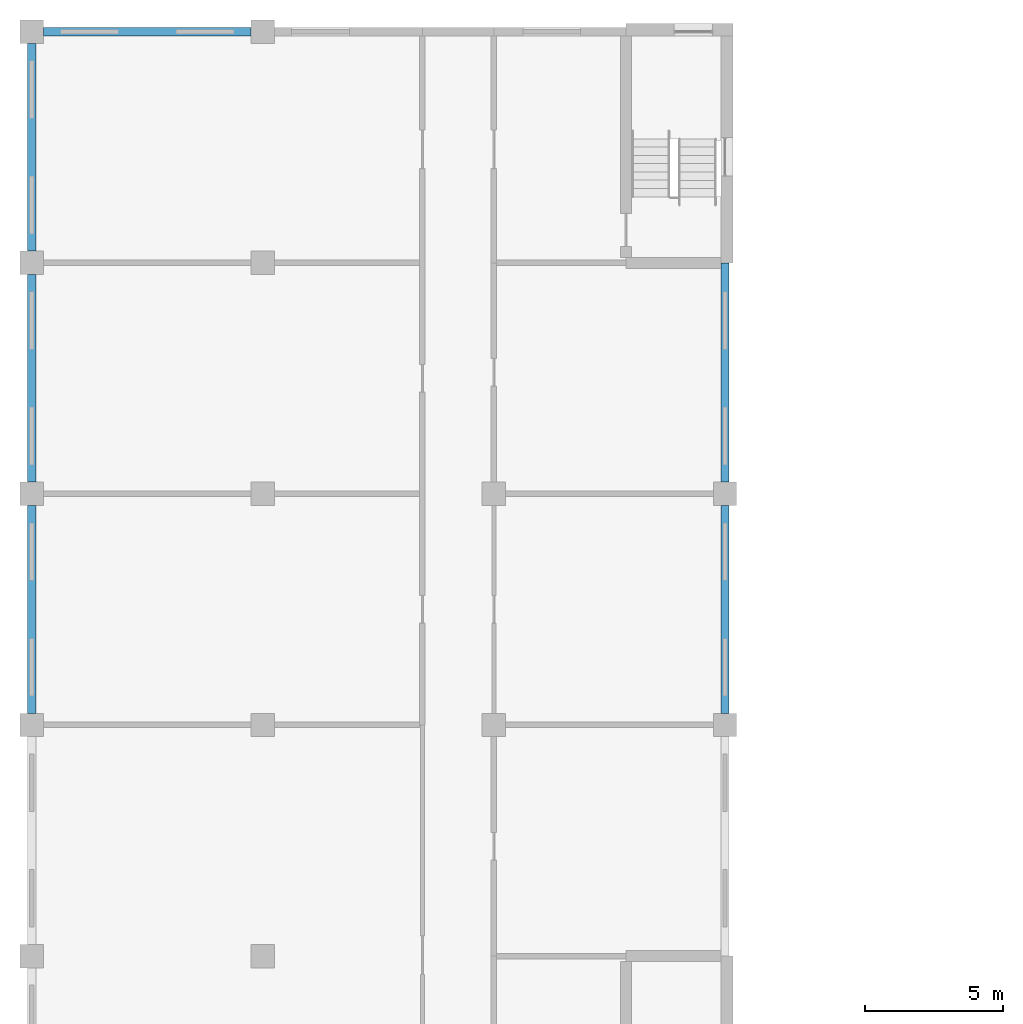
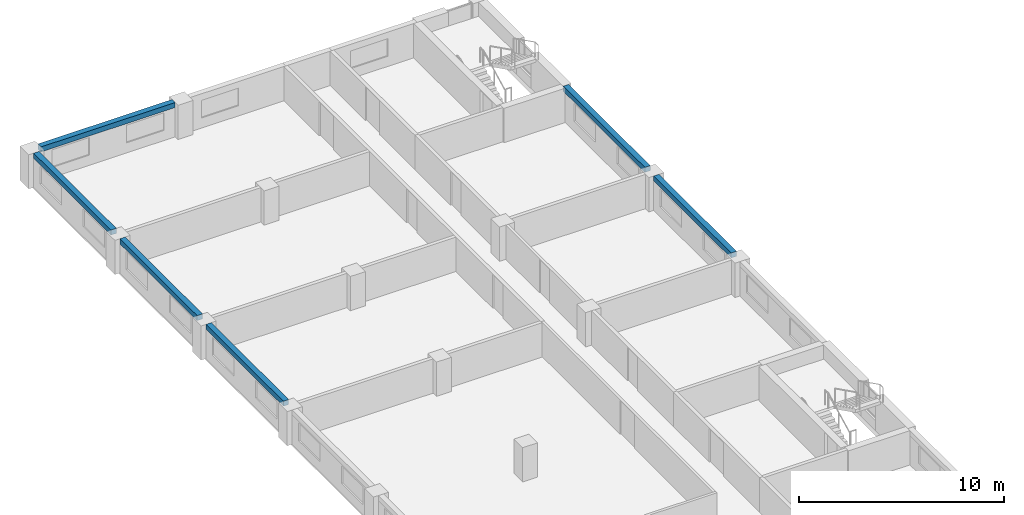
# One storey, part 17 of 48: 6 beams.
"""IFC4 building model written with IfcOpenShell, lengths in metres."""

from ifc_helpers import new_model, si_unit, direction, frame, origin, origin_2d, place, context, subcontext, project, spatial, rectangle, extrude, material, material_profile, profile_set, type_object, element, save


model = new_model("IFC4")

# Units and contexts
model_context = context("Model", 3, precision=1e-05, world=origin(), true_north=direction((0.0, 1.0)))
body_context = subcontext(model_context, "Body", "Model", "MODEL_VIEW")
ifc_project = project(units=[si_unit("LENGTHUNIT", "METRE"), si_unit("AREAUNIT", "SQUARE_METRE"), si_unit("VOLUMEUNIT", "CUBIC_METRE"), si_unit("PLANEANGLEUNIT", "RADIAN"), si_unit("MASSUNIT", "GRAM", prefix="KILO")], contexts=[model_context])

# Site, building, storey
site_placement = place(None, origin())
site = spatial("IfcSite", under=ifc_project, at=site_placement, CompositionType="ELEMENT")
building_placement = place(site_placement, origin())
building = spatial("IfcBuilding", under=site, at=building_placement, Name="Yavir Park General Hospital", CompositionType="ELEMENT")
storey_placement = place(building_placement, frame((0.0, 0.0, 12.89990234375)))
storey = spatial("IfcBuildingStorey", under=building, at=storey_placement, Name="I02", CompositionType="ELEMENT", Elevation=12.89990234375)

# Beams
ifc_material = material(Name="Concrete C35/45", Category="concrete")
ifc_material_profile = material_profile(ifc_material, rectangle(XDim=0.300048828125, YDim=0.300048828125, at=origin_2d()), Name="RC300x300")
ifc_profile_set = profile_set([ifc_material_profile], Name="Concrete C35/45")
beam_type = type_object("IfcBeamType", Name="RC BEAM 300x300 edge beam", PredefinedType="BEAM", material=ifc_profile_set)
for number, where, z_axis, x_axis, name in (
    (1, (0.425048828125, 117.60009765625, 1.89013671875), (1.0, 0.0, 0.0), (0.0, 1.0, 0.0), "B:EDGE:I02:030"),
    (2, (0.0, 92.824951171875, 1.89013671875), (0.0, 1.0, 0.0), (-1.0, 0.0, 0.0), "B:EDGE:I02:040"),
):
    element("IfcBeam", number, at=place(storey_placement, frame(where, z_axis=z_axis, x_axis=x_axis)), inside=storey, type_object=beam_type, Name=name, PredefinedType="BEAM", context=body_context, shape_type="SweptSolid", body=[
        extrude(rectangle(XDim=0.300048828125, YDim=0.300048828125, at=origin_2d()), origin(), (0.0, 0.0, 1.0), 7.550048828125),
    ])
beam_1_placement = place(storey_placement, frame((0.0, 101.22509765625, 1.89013671875), z_axis=(0.0, 1.0, 0.0), x_axis=(-1.0, 0.0, 0.0)))
element("IfcBeam", 3, at=beam_1_placement, inside=storey, type_object=beam_type, Name="B:EDGE:I02:041", PredefinedType="BEAM", context=body_context, shape_type="SweptSolid", body=[
    extrude(rectangle(XDim=0.300048828125, YDim=0.300048828125, at=origin_2d()), origin(), (0.0, 0.0, 1.0), 7.5498046875),
])
for number, where, z_axis, x_axis, name in (
    (4, (0.0, 109.625, 1.89013671875), (0.0, 1.0, 0.0), (-1.0, 0.0, 0.0), "B:EDGE:I02:042"),
    (5, (25.199951171875, 92.824951171875, 1.89013671875), (0.0, 1.0, 0.0), (-1.0, 0.0, 0.0), "B:EDGE:I02:048"),
):
    element("IfcBeam", number, at=place(storey_placement, frame(where, z_axis=z_axis, x_axis=x_axis)), inside=storey, type_object=beam_type, Name=name, PredefinedType="BEAM", context=body_context, shape_type="SweptSolid", body=[
        extrude(rectangle(XDim=0.300048828125, YDim=0.300048828125, at=origin_2d()), origin(), (0.0, 0.0, 1.0), 7.550048828125),
    ])
beam_2_placement = place(storey_placement, frame((25.199951171875, 101.22509765625, 1.89013671875), z_axis=(0.0, 1.0, 0.0), x_axis=(-1.0, 0.0, 0.0)))
element("IfcBeam", 6, at=beam_2_placement, inside=storey, type_object=beam_type, Name="B:EDGE:I02:049", PredefinedType="BEAM", context=body_context, shape_type="SweptSolid", body=[
    extrude(rectangle(XDim=0.300048828125, YDim=0.300048828125, at=origin_2d()), origin(), (0.0, 0.0, 1.0), 7.974853515625),
])

save(model, "model.ifc")
